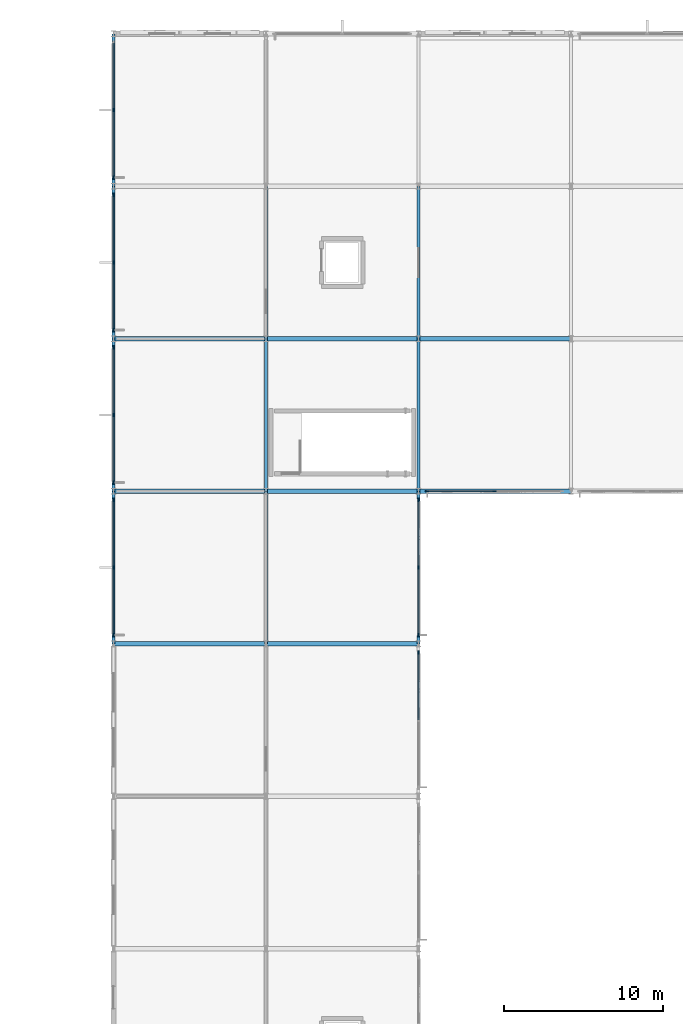
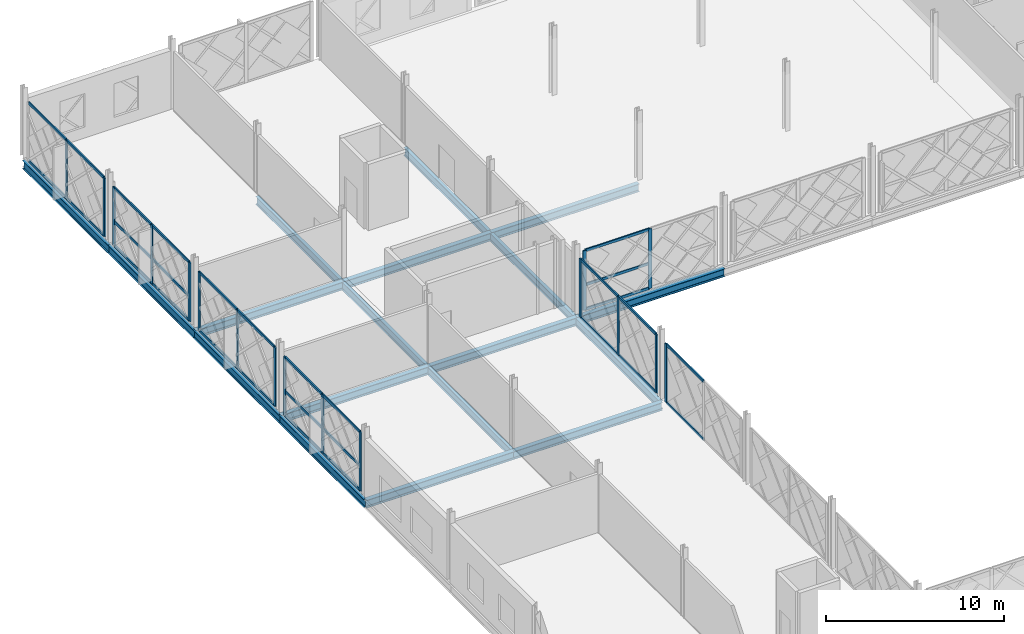
# One storey, part 27 of 77: 46 members, 18 beams, 7 elements without a shape of their own.
"""IFC4 building model written with IfcOpenShell, lengths in metres."""

from ifc_helpers import new_model, si_unit, direction, frame, origin, origin_2d, place, context, subcontext, project, spatial, rectangle, i_section, extrude, material, layer, layer_set, material_profile, profile_set, type_object, element, aggregate, save


model = new_model("IFC4")

# Units and contexts
model_context = context("Model", 3, precision=1e-05, world=origin(), true_north=direction((0.0, 1.0)))
body_context = subcontext(model_context, "Body", "Model", "MODEL_VIEW")
ifc_project = project(units=[si_unit("LENGTHUNIT", "METRE"), si_unit("AREAUNIT", "SQUARE_METRE"), si_unit("VOLUMEUNIT", "CUBIC_METRE"), si_unit("PLANEANGLEUNIT", "RADIAN"), si_unit("MASSUNIT", "GRAM", prefix="KILO")], contexts=[model_context])

# Site, building, storey
site_placement = place(None, origin())
site = spatial("IfcSite", under=ifc_project, at=site_placement, CompositionType="ELEMENT")
building_placement = place(site_placement, origin())
building = spatial("IfcBuilding", under=site, at=building_placement, Name="Zevrakil Square Congress Hotel", CompositionType="ELEMENT")
storey_placement = place(building_placement, frame((0.0, 0.0, 9.89990234375)))
storey = spatial("IfcBuildingStorey", under=building, at=storey_placement, Name="L03", CompositionType="ELEMENT", Elevation=9.89990234375)

# Beams
ifc_material_1 = material(Name="Steel S355", Category="steel")
ifc_material_profile_1 = material_profile(ifc_material_1, i_section(OverallWidth=0.300048828125, OverallDepth=0.5400390625, WebThickness=0.012451171875, FlangeThickness=0.02392578125, FilletRadius=0.027099609375, at=origin_2d()), Name="HEA 550")
ifc_profile_set_1 = profile_set([ifc_material_profile_1], Name="Steel S355")
beam_type_1 = type_object("IfcBeamType", Name="BM-HEA550", PredefinedType="BEAM", material=ifc_profile_set_1)
beam_1_placement = place(storey_placement, frame((45.60009765625, 74.39990234375, -0.52978515625), z_axis=(1.0, 0.0, 0.0), x_axis=(0.0, 1.0, 0.0)))
element("IfcBeam", 1, at=beam_1_placement, inside=storey, type_object=beam_type_1, Name="L03 primary girder BX-1045", PredefinedType="BEAM", context=body_context, shape_type="SweptSolid", body=[
    extrude(i_section(OverallWidth=0.300048828125, OverallDepth=0.5400390625, WebThickness=0.012451171875, FlangeThickness=0.02392578125, FilletRadius=0.027099609375, at=origin_2d()), origin(), (0.0, 0.0, 1.0), 9.599853515625),
])
beam_2_placement = place(storey_placement, frame((55.199951171875, 74.39990234375, -0.52978515625), z_axis=(1.0, 0.0, 0.0), x_axis=(0.0, 1.0, 0.0)))
element("IfcBeam", 2, at=beam_2_placement, inside=storey, type_object=beam_type_1, Name="L03 primary girder BX-1046", PredefinedType="BEAM", context=body_context, shape_type="SweptSolid", body=[
    extrude(i_section(OverallWidth=0.300048828125, OverallDepth=0.5400390625, WebThickness=0.012451171875, FlangeThickness=0.02392578125, FilletRadius=0.027099609375, at=origin_2d()), origin(), (0.0, 0.0, 1.0), 9.60009765625),
])
beam_3_placement = place(storey_placement, frame((45.60009765625, 84.0, -0.52978515625), z_axis=(1.0, 0.0, 0.0), x_axis=(0.0, 1.0, 0.0)))
element("IfcBeam", 3, at=beam_3_placement, inside=storey, type_object=beam_type_1, Name="L03 primary girder BX-1048", PredefinedType="BEAM", context=body_context, shape_type="SweptSolid", body=[
    extrude(i_section(OverallWidth=0.300048828125, OverallDepth=0.5400390625, WebThickness=0.012451171875, FlangeThickness=0.02392578125, FilletRadius=0.027099609375, at=origin_2d()), origin(), (0.0, 0.0, 1.0), 9.599853515625),
])
beam_4_placement = place(storey_placement, frame((55.199951171875, 84.0, -0.52978515625), z_axis=(1.0, 0.0, 0.0), x_axis=(0.0, 1.0, 0.0)))
element("IfcBeam", 4, at=beam_4_placement, inside=storey, type_object=beam_type_1, Name="L03 primary girder BX-1049", PredefinedType="BEAM", context=body_context, shape_type="SweptSolid", body=[
    extrude(i_section(OverallWidth=0.300048828125, OverallDepth=0.5400390625, WebThickness=0.012451171875, FlangeThickness=0.02392578125, FilletRadius=0.027099609375, at=origin_2d()), origin(), (0.0, 0.0, 1.0), 9.60009765625),
])
for number, where, z_axis, x_axis, name in (
    (5, (64.800048828125, 84.0, -0.52978515625), (1.0, 0.0, 0.0), (0.0, 1.0, 0.0), "L03 primary girder BX-1050"),
    (6, (45.60009765625, 93.60009765625, -0.52978515625), (1.0, 0.0, 0.0), (0.0, 1.0, 0.0), "L03 primary girder BX-1056"),
):
    element("IfcBeam", number, at=place(storey_placement, frame(where, z_axis=z_axis, x_axis=x_axis)), inside=storey, type_object=beam_type_1, Name=name, PredefinedType="BEAM", context=body_context, shape_type="SweptSolid", body=[
        extrude(i_section(OverallWidth=0.300048828125, OverallDepth=0.5400390625, WebThickness=0.012451171875, FlangeThickness=0.02392578125, FilletRadius=0.027099609375, at=origin_2d()), origin(), (0.0, 0.0, 1.0), 9.599853515625),
    ])
beam_5_placement = place(storey_placement, frame((55.199951171875, 93.60009765625, -0.52978515625), z_axis=(1.0, 0.0, 0.0), x_axis=(0.0, 1.0, 0.0)))
element("IfcBeam", 7, at=beam_5_placement, inside=storey, type_object=beam_type_1, Name="L03 primary girder BX-1057", PredefinedType="BEAM", context=body_context, shape_type="SweptSolid", body=[
    extrude(i_section(OverallWidth=0.300048828125, OverallDepth=0.5400390625, WebThickness=0.012451171875, FlangeThickness=0.02392578125, FilletRadius=0.027099609375, at=origin_2d()), origin(), (0.0, 0.0, 1.0), 9.60009765625),
])
beam_6_placement = place(storey_placement, frame((64.800048828125, 93.60009765625, -0.52978515625), z_axis=(1.0, 0.0, 0.0), x_axis=(0.0, 1.0, 0.0)))
element("IfcBeam", 8, at=beam_6_placement, inside=storey, type_object=beam_type_1, Name="L03 primary girder BX-1058", PredefinedType="BEAM", context=body_context, shape_type="SweptSolid", body=[
    extrude(i_section(OverallWidth=0.300048828125, OverallDepth=0.5400390625, WebThickness=0.012451171875, FlangeThickness=0.02392578125, FilletRadius=0.027099609375, at=origin_2d()), origin(), (0.0, 0.0, 1.0), 9.599853515625),
])
ifc_material_2 = material(Name="Steel S355", Category="steel")
ifc_material_profile_2 = material_profile(ifc_material_2, i_section(OverallWidth=0.2099609375, OverallDepth=0.550048828125, WebThickness=0.010986328125, FlangeThickness=0.01708984375, FilletRadius=0.02392578125, at=origin_2d()), Name="IPE 550")
ifc_profile_set_2 = profile_set([ifc_material_profile_2], Name="Steel S355")
beam_type_2 = type_object("IfcBeamType", Name="BM-IPE550", PredefinedType="BEAM", material=ifc_profile_set_2)
for number, where, z_axis, x_axis, name in (
    (9, (45.60009765625, 74.39990234375, -0.534912109375), (0.0, 1.0, 0.0), (-1.0, 0.0, 0.0), "L03 primary girder BY-1096"),
    (10, (45.60009765625, 84.0, -0.534912109375), (0.0, 1.0, 0.0), (-1.0, 0.0, 0.0), "L03 primary girder BY-1097"),
):
    element("IfcBeam", number, at=place(storey_placement, frame(where, z_axis=z_axis, x_axis=x_axis)), inside=storey, type_object=beam_type_2, Name=name, PredefinedType="BEAM", context=body_context, shape_type="SweptSolid", body=[
        extrude(i_section(OverallWidth=0.2099609375, OverallDepth=0.550048828125, WebThickness=0.010986328125, FlangeThickness=0.01708984375, FilletRadius=0.02392578125, at=origin_2d()), origin(), (0.0, 0.0, 1.0), 9.60009765625),
    ])
beam_7_placement = place(storey_placement, frame((45.60009765625, 93.60009765625, -0.534912109375), z_axis=(0.0, 1.0, 0.0), x_axis=(-1.0, 0.0, 0.0)))
element("IfcBeam", 11, at=beam_7_placement, inside=storey, type_object=beam_type_2, Name="L03 primary girder BY-1098", PredefinedType="BEAM", context=body_context, shape_type="SweptSolid", body=[
    extrude(i_section(OverallWidth=0.2099609375, OverallDepth=0.550048828125, WebThickness=0.010986328125, FlangeThickness=0.01708984375, FilletRadius=0.02392578125, at=origin_2d()), origin(), (0.0, 0.0, 1.0), 9.599853515625),
])
for number, where, z_axis, x_axis, name in (
    (12, (45.60009765625, 103.199951171875, -0.534912109375), (0.0, 1.0, 0.0), (-1.0, 0.0, 0.0), "L03 primary girder BY-1099"),
    (13, (55.199951171875, 74.39990234375, -0.534912109375), (0.0, 1.0, 0.0), (-1.0, 0.0, 0.0), "L03 primary girder BY-1107"),
    (14, (55.199951171875, 84.0, -0.534912109375), (0.0, 1.0, 0.0), (-1.0, 0.0, 0.0), "L03 primary girder BY-1108"),
):
    element("IfcBeam", number, at=place(storey_placement, frame(where, z_axis=z_axis, x_axis=x_axis)), inside=storey, type_object=beam_type_2, Name=name, PredefinedType="BEAM", context=body_context, shape_type="SweptSolid", body=[
        extrude(i_section(OverallWidth=0.2099609375, OverallDepth=0.550048828125, WebThickness=0.010986328125, FlangeThickness=0.01708984375, FilletRadius=0.02392578125, at=origin_2d()), origin(), (0.0, 0.0, 1.0), 9.60009765625),
    ])
beam_8_placement = place(storey_placement, frame((55.199951171875, 93.60009765625, -0.534912109375), z_axis=(0.0, 1.0, 0.0), x_axis=(-1.0, 0.0, 0.0)))
element("IfcBeam", 15, at=beam_8_placement, inside=storey, type_object=beam_type_2, Name="L03 primary girder BY-1109", PredefinedType="BEAM", context=body_context, shape_type="SweptSolid", body=[
    extrude(i_section(OverallWidth=0.2099609375, OverallDepth=0.550048828125, WebThickness=0.010986328125, FlangeThickness=0.01708984375, FilletRadius=0.02392578125, at=origin_2d()), origin(), (0.0, 0.0, 1.0), 9.599853515625),
])
for number, where, z_axis, x_axis, name in (
    (16, (64.800048828125, 74.39990234375, -0.534912109375), (0.0, 1.0, 0.0), (-1.0, 0.0, 0.0), "L03 primary girder BY-1118"),
    (17, (64.800048828125, 84.0, -0.534912109375), (0.0, 1.0, 0.0), (-1.0, 0.0, 0.0), "L03 primary girder BY-1119"),
):
    element("IfcBeam", number, at=place(storey_placement, frame(where, z_axis=z_axis, x_axis=x_axis)), inside=storey, type_object=beam_type_2, Name=name, PredefinedType="BEAM", context=body_context, shape_type="SweptSolid", body=[
        extrude(i_section(OverallWidth=0.2099609375, OverallDepth=0.550048828125, WebThickness=0.010986328125, FlangeThickness=0.01708984375, FilletRadius=0.02392578125, at=origin_2d()), origin(), (0.0, 0.0, 1.0), 9.60009765625),
    ])
beam_9_placement = place(storey_placement, frame((64.800048828125, 93.60009765625, -0.534912109375), z_axis=(0.0, 1.0, 0.0), x_axis=(-1.0, 0.0, 0.0)))
element("IfcBeam", 18, at=beam_9_placement, inside=storey, type_object=beam_type_2, Name="L03 primary girder BY-1120", PredefinedType="BEAM", context=body_context, shape_type="SweptSolid", body=[
    extrude(i_section(OverallWidth=0.2099609375, OverallDepth=0.550048828125, WebThickness=0.010986328125, FlangeThickness=0.01708984375, FilletRadius=0.02392578125, at=origin_2d()), origin(), (0.0, 0.0, 1.0), 9.599853515625),
])

# Curtain wall, members
ifc_material_3 = material(Name="Aluminium Anodised Bronze", Category="aluminium")
ifc_layer = layer(ifc_material_3, 0.179931640625)
ifc_layer_set = layer_set([ifc_layer], Name="Aluminium Anodised Bronze")
curtain_wall_type = type_object("IfcCurtainWallType", Name="CW-L03-840", PredefinedType="USERDEFINED", material=ifc_layer_set)
curtain_wall_1_placement = place(storey_placement, origin())
curtain_wall_1 = element("IfcCurtainWall", 19, at=curtain_wall_1_placement, inside=storey, type_object=curtain_wall_type, Name="L03 diamond curtain wall CW-L03-0028", ObjectType="GLAZED CURTAIN WALL", PredefinedType="USERDEFINED")
ifc_material_4 = material(Name="Aluminium Anodised Bronze", Category="aluminium")
ifc_material_profile_3 = material_profile(ifc_material_4, rectangle(XDim=0.0849609375, YDim=0.179931640625, at=origin_2d()), Name="ALU 85x180")
ifc_profile_set_3 = profile_set([ifc_material_profile_3], Name="Aluminium Anodised Bronze")
member_type_1 = type_object("IfcMemberType", Name="CWM-ALU85x180", PredefinedType="USERDEFINED", material=ifc_profile_set_3)
member_1_placement = place(storey_placement, frame((45.60009765625, 74.97998046875, 0.030029296875), z_axis=(0.0, 1.0, 0.0), x_axis=(-1.0, 0.0, 0.0)))
member_1 = element("IfcMember", 20, at=member_1_placement, type_object=member_type_1, Name="CW-35 transom 1.1", ObjectType="TRANSOM", PredefinedType="USERDEFINED", context=body_context, shape_type="SweptSolid", body=[
    extrude(rectangle(XDim=0.0849609375, YDim=0.179931640625, at=origin_2d()), origin(), (0.0, 0.0, 1.0), 4.18994140625),
])
member_2_placement = place(storey_placement, frame((45.60009765625, 74.97998046875, 1.690673828125), z_axis=(0.0, 1.0, 0.0), x_axis=(-1.0, 0.0, 0.0)))
member_2 = element("IfcMember", 21, at=member_2_placement, type_object=member_type_1, Name="CW-35 transom 1.2", ObjectType="TRANSOM", PredefinedType="USERDEFINED", context=body_context, shape_type="SweptSolid", body=[
    extrude(rectangle(XDim=0.0849609375, YDim=0.179931640625, at=origin_2d()), origin(), (0.0, 0.0, 1.0), 4.18994140625),
])
member_3_placement = place(storey_placement, frame((45.60009765625, 74.97998046875, 3.9951171875), z_axis=(0.0, 1.0, 0.0), x_axis=(-1.0, 0.0, 0.0)))
member_3 = element("IfcMember", 22, at=member_3_placement, type_object=member_type_1, Name="CW-35 transom 1.3", ObjectType="TRANSOM", PredefinedType="USERDEFINED", context=body_context, shape_type="SweptSolid", body=[
    extrude(rectangle(XDim=0.0849609375, YDim=0.179931640625, at=origin_2d()), origin(), (0.0, 0.0, 1.0), 4.18994140625),
])
member_4_placement = place(storey_placement, frame((45.60009765625, 79.22998046875, 0.030029296875), z_axis=(0.0, 1.0, 0.0), x_axis=(-1.0, 0.0, 0.0)))
member_4 = element("IfcMember", 23, at=member_4_placement, type_object=member_type_1, Name="CW-35 transom 2.1", ObjectType="TRANSOM", PredefinedType="USERDEFINED", context=body_context, shape_type="SweptSolid", body=[
    extrude(rectangle(XDim=0.0849609375, YDim=0.179931640625, at=origin_2d()), origin(), (0.0, 0.0, 1.0), 4.18994140625),
])
member_5_placement = place(storey_placement, frame((45.60009765625, 79.22998046875, 1.690673828125), z_axis=(0.0, 1.0, 0.0), x_axis=(-1.0, 0.0, 0.0)))
member_5 = element("IfcMember", 24, at=member_5_placement, type_object=member_type_1, Name="CW-35 transom 2.2", ObjectType="TRANSOM", PredefinedType="USERDEFINED", context=body_context, shape_type="SweptSolid", body=[
    extrude(rectangle(XDim=0.0849609375, YDim=0.179931640625, at=origin_2d()), origin(), (0.0, 0.0, 1.0), 4.18994140625),
])
member_6_placement = place(storey_placement, frame((45.60009765625, 79.22998046875, 3.9951171875), z_axis=(0.0, 1.0, 0.0), x_axis=(-1.0, 0.0, 0.0)))
member_6 = element("IfcMember", 25, at=member_6_placement, type_object=member_type_1, Name="CW-35 transom 2.3", ObjectType="TRANSOM", PredefinedType="USERDEFINED", context=body_context, shape_type="SweptSolid", body=[
    extrude(rectangle(XDim=0.0849609375, YDim=0.179931640625, at=origin_2d()), origin(), (0.0, 0.0, 1.0), 4.18994140625),
])

curtain_wall_2_placement = place(storey_placement, origin())
curtain_wall_2 = element("IfcCurtainWall", 26, at=curtain_wall_2_placement, inside=storey, type_object=curtain_wall_type, Name="L03 diamond curtain wall CW-L03-0029", ObjectType="GLAZED CURTAIN WALL", PredefinedType="USERDEFINED")
member_7_placement = place(storey_placement, frame((45.60009765625, 84.580078125, 0.030029296875), z_axis=(0.0, 1.0, 0.0), x_axis=(-1.0, 0.0, 0.0)))
member_7 = element("IfcMember", 27, at=member_7_placement, type_object=member_type_1, Name="CW-35 transom 1.1", ObjectType="TRANSOM", PredefinedType="USERDEFINED", context=body_context, shape_type="SweptSolid", body=[
    extrude(rectangle(XDim=0.0849609375, YDim=0.179931640625, at=origin_2d()), origin(), (0.0, 0.0, 1.0), 4.18994140625),
])
member_8_placement = place(storey_placement, frame((45.60009765625, 84.580078125, 3.9951171875), z_axis=(0.0, 1.0, 0.0), x_axis=(-1.0, 0.0, 0.0)))
member_8 = element("IfcMember", 28, at=member_8_placement, type_object=member_type_1, Name="CW-35 transom 1.2", ObjectType="TRANSOM", PredefinedType="USERDEFINED", context=body_context, shape_type="SweptSolid", body=[
    extrude(rectangle(XDim=0.0849609375, YDim=0.179931640625, at=origin_2d()), origin(), (0.0, 0.0, 1.0), 4.18994140625),
])
member_9_placement = place(storey_placement, frame((45.60009765625, 88.830078125, 0.030029296875), z_axis=(0.0, 1.0, 0.0), x_axis=(-1.0, 0.0, 0.0)))
member_9 = element("IfcMember", 29, at=member_9_placement, type_object=member_type_1, Name="CW-35 transom 2.1", ObjectType="TRANSOM", PredefinedType="USERDEFINED", context=body_context, shape_type="SweptSolid", body=[
    extrude(rectangle(XDim=0.0849609375, YDim=0.179931640625, at=origin_2d()), origin(), (0.0, 0.0, 1.0), 4.18994140625),
])
member_10_placement = place(storey_placement, frame((45.60009765625, 88.830078125, 3.9951171875), z_axis=(0.0, 1.0, 0.0), x_axis=(-1.0, 0.0, 0.0)))
member_10 = element("IfcMember", 30, at=member_10_placement, type_object=member_type_1, Name="CW-35 transom 2.2", ObjectType="TRANSOM", PredefinedType="USERDEFINED", context=body_context, shape_type="SweptSolid", body=[
    extrude(rectangle(XDim=0.0849609375, YDim=0.179931640625, at=origin_2d()), origin(), (0.0, 0.0, 1.0), 4.18994140625),
])

curtain_wall_3_placement = place(storey_placement, origin())
curtain_wall_3 = element("IfcCurtainWall", 31, at=curtain_wall_3_placement, inside=storey, type_object=curtain_wall_type, Name="L03 diamond curtain wall CW-L03-0030", ObjectType="GLAZED CURTAIN WALL", PredefinedType="USERDEFINED")
member_11_placement = place(storey_placement, frame((45.60009765625, 94.179931640625, 0.030029296875), z_axis=(0.0, 1.0, 0.0), x_axis=(-1.0, 0.0, 0.0)))
member_11 = element("IfcMember", 32, at=member_11_placement, type_object=member_type_1, Name="CW-35 transom 1.1", ObjectType="TRANSOM", PredefinedType="USERDEFINED", context=body_context, shape_type="SweptSolid", body=[
    extrude(rectangle(XDim=0.0849609375, YDim=0.179931640625, at=origin_2d()), origin(), (0.0, 0.0, 1.0), 4.190185546875),
])
member_12_placement = place(storey_placement, frame((45.60009765625, 94.179931640625, 1.690673828125), z_axis=(0.0, 1.0, 0.0), x_axis=(-1.0, 0.0, 0.0)))
member_12 = element("IfcMember", 33, at=member_12_placement, type_object=member_type_1, Name="CW-35 transom 1.2", ObjectType="TRANSOM", PredefinedType="USERDEFINED", context=body_context, shape_type="SweptSolid", body=[
    extrude(rectangle(XDim=0.0849609375, YDim=0.179931640625, at=origin_2d()), origin(), (0.0, 0.0, 1.0), 4.190185546875),
])
member_13_placement = place(storey_placement, frame((45.60009765625, 94.179931640625, 3.9951171875), z_axis=(0.0, 1.0, 0.0), x_axis=(-1.0, 0.0, 0.0)))
member_13 = element("IfcMember", 34, at=member_13_placement, type_object=member_type_1, Name="CW-35 transom 1.3", ObjectType="TRANSOM", PredefinedType="USERDEFINED", context=body_context, shape_type="SweptSolid", body=[
    extrude(rectangle(XDim=0.0849609375, YDim=0.179931640625, at=origin_2d()), origin(), (0.0, 0.0, 1.0), 4.190185546875),
])
member_14_placement = place(storey_placement, frame((45.60009765625, 98.429931640625, 0.030029296875), z_axis=(0.0, 1.0, 0.0), x_axis=(-1.0, 0.0, 0.0)))
member_14 = element("IfcMember", 35, at=member_14_placement, type_object=member_type_1, Name="CW-35 transom 2.1", ObjectType="TRANSOM", PredefinedType="USERDEFINED", context=body_context, shape_type="SweptSolid", body=[
    extrude(rectangle(XDim=0.0849609375, YDim=0.179931640625, at=origin_2d()), origin(), (0.0, 0.0, 1.0), 4.190185546875),
])
member_15_placement = place(storey_placement, frame((45.60009765625, 98.429931640625, 1.690673828125), z_axis=(0.0, 1.0, 0.0), x_axis=(-1.0, 0.0, 0.0)))
member_15 = element("IfcMember", 36, at=member_15_placement, type_object=member_type_1, Name="CW-35 transom 2.2", ObjectType="TRANSOM", PredefinedType="USERDEFINED", context=body_context, shape_type="SweptSolid", body=[
    extrude(rectangle(XDim=0.0849609375, YDim=0.179931640625, at=origin_2d()), origin(), (0.0, 0.0, 1.0), 4.190185546875),
])
member_16_placement = place(storey_placement, frame((45.60009765625, 98.429931640625, 3.9951171875), z_axis=(0.0, 1.0, 0.0), x_axis=(-1.0, 0.0, 0.0)))
member_16 = element("IfcMember", 37, at=member_16_placement, type_object=member_type_1, Name="CW-35 transom 2.3", ObjectType="TRANSOM", PredefinedType="USERDEFINED", context=body_context, shape_type="SweptSolid", body=[
    extrude(rectangle(XDim=0.0849609375, YDim=0.179931640625, at=origin_2d()), origin(), (0.0, 0.0, 1.0), 4.190185546875),
])

curtain_wall_4_placement = place(storey_placement, origin())
curtain_wall_4 = element("IfcCurtainWall", 38, at=curtain_wall_4_placement, inside=storey, type_object=curtain_wall_type, Name="L03 diamond curtain wall CW-L03-0031", ObjectType="GLAZED CURTAIN WALL", PredefinedType="USERDEFINED")
member_17_placement = place(storey_placement, frame((45.60009765625, 103.780029296875, 0.030029296875), z_axis=(0.0, 1.0, 0.0), x_axis=(-1.0, 0.0, 0.0)))
member_17 = element("IfcMember", 39, at=member_17_placement, type_object=member_type_1, Name="CW-35 transom 1.1", ObjectType="TRANSOM", PredefinedType="USERDEFINED", context=body_context, shape_type="SweptSolid", body=[
    extrude(rectangle(XDim=0.0849609375, YDim=0.179931640625, at=origin_2d()), origin(), (0.0, 0.0, 1.0), 4.18994140625),
])
member_18_placement = place(storey_placement, frame((45.60009765625, 103.780029296875, 3.9951171875), z_axis=(0.0, 1.0, 0.0), x_axis=(-1.0, 0.0, 0.0)))
member_18 = element("IfcMember", 40, at=member_18_placement, type_object=member_type_1, Name="CW-35 transom 1.2", ObjectType="TRANSOM", PredefinedType="USERDEFINED", context=body_context, shape_type="SweptSolid", body=[
    extrude(rectangle(XDim=0.0849609375, YDim=0.179931640625, at=origin_2d()), origin(), (0.0, 0.0, 1.0), 4.18994140625),
])
member_19_placement = place(storey_placement, frame((45.60009765625, 108.030029296875, 0.030029296875), z_axis=(0.0, 1.0, 0.0), x_axis=(-1.0, 0.0, 0.0)))
member_19 = element("IfcMember", 41, at=member_19_placement, type_object=member_type_1, Name="CW-35 transom 2.1", ObjectType="TRANSOM", PredefinedType="USERDEFINED", context=body_context, shape_type="SweptSolid", body=[
    extrude(rectangle(XDim=0.0849609375, YDim=0.179931640625, at=origin_2d()), origin(), (0.0, 0.0, 1.0), 4.18994140625),
])
member_20_placement = place(storey_placement, frame((45.60009765625, 108.030029296875, 3.9951171875), z_axis=(0.0, 1.0, 0.0), x_axis=(-1.0, 0.0, 0.0)))
member_20 = element("IfcMember", 42, at=member_20_placement, type_object=member_type_1, Name="CW-35 transom 2.2", ObjectType="TRANSOM", PredefinedType="USERDEFINED", context=body_context, shape_type="SweptSolid", body=[
    extrude(rectangle(XDim=0.0849609375, YDim=0.179931640625, at=origin_2d()), origin(), (0.0, 0.0, 1.0), 4.18994140625),
])

curtain_wall_5_placement = place(storey_placement, origin())
curtain_wall_5 = element("IfcCurtainWall", 43, at=curtain_wall_5_placement, inside=storey, type_object=curtain_wall_type, Name="L03 diamond curtain wall CW-L03-0102", ObjectType="GLAZED CURTAIN WALL", PredefinedType="USERDEFINED")
member_21_placement = place(storey_placement, frame((65.3798828125, 84.0, 0.030029296875), z_axis=(1.0, 0.0, 0.0), x_axis=(0.0, 1.0, 0.0)))
member_21 = element("IfcMember", 44, at=member_21_placement, type_object=member_type_1, Name="CW-35 transom 1.1", ObjectType="TRANSOM", PredefinedType="USERDEFINED", context=body_context, shape_type="SweptSolid", body=[
    extrude(rectangle(XDim=0.0849609375, YDim=0.179931640625, at=origin_2d()), origin(), (0.0, 0.0, 1.0), 4.190185546875),
])
member_22_placement = place(storey_placement, frame((65.3798828125, 84.0, 1.7158203125), z_axis=(1.0, 0.0, 0.0), x_axis=(0.0, 1.0, 0.0)))
member_22 = element("IfcMember", 45, at=member_22_placement, type_object=member_type_1, Name="CW-35 transom 1.2", ObjectType="TRANSOM", PredefinedType="USERDEFINED", context=body_context, shape_type="SweptSolid", body=[
    extrude(rectangle(XDim=0.0849609375, YDim=0.179931640625, at=origin_2d()), origin(), (0.0, 0.0, 1.0), 4.190185546875),
])
member_23_placement = place(storey_placement, frame((65.3798828125, 84.0, 4.05517578125), z_axis=(1.0, 0.0, 0.0), x_axis=(0.0, 1.0, 0.0)))
member_23 = element("IfcMember", 46, at=member_23_placement, type_object=member_type_1, Name="CW-35 transom 1.3", ObjectType="TRANSOM", PredefinedType="USERDEFINED", context=body_context, shape_type="SweptSolid", body=[
    extrude(rectangle(XDim=0.0849609375, YDim=0.179931640625, at=origin_2d()), origin(), (0.0, 0.0, 1.0), 4.190185546875),
])

curtain_wall_6_placement = place(storey_placement, origin())
curtain_wall_6 = element("IfcCurtainWall", 47, at=curtain_wall_6_placement, inside=storey, type_object=curtain_wall_type, Name="L03 diamond curtain wall CW-L03-0133", ObjectType="GLAZED CURTAIN WALL", PredefinedType="USERDEFINED")
member_24_placement = place(storey_placement, frame((64.800048828125, 69.6298828125, 0.030029296875), z_axis=(0.0, 1.0, 0.0), x_axis=(-1.0, 0.0, 0.0)))
member_24 = element("IfcMember", 48, at=member_24_placement, type_object=member_type_1, Name="CW-35 transom 2.1", ObjectType="TRANSOM", PredefinedType="USERDEFINED", context=body_context, shape_type="SweptSolid", body=[
    extrude(rectangle(XDim=0.0849609375, YDim=0.179931640625, at=origin_2d()), origin(), (0.0, 0.0, 1.0), 4.190185546875),
])
member_25_placement = place(storey_placement, frame((64.800048828125, 69.6298828125, 3.9951171875), z_axis=(0.0, 1.0, 0.0), x_axis=(-1.0, 0.0, 0.0)))
member_25 = element("IfcMember", 49, at=member_25_placement, type_object=member_type_1, Name="CW-35 transom 2.2", ObjectType="TRANSOM", PredefinedType="USERDEFINED", context=body_context, shape_type="SweptSolid", body=[
    extrude(rectangle(XDim=0.0849609375, YDim=0.179931640625, at=origin_2d()), origin(), (0.0, 0.0, 1.0), 4.190185546875),
])

curtain_wall_7_placement = place(storey_placement, origin())
curtain_wall_7 = element("IfcCurtainWall", 50, at=curtain_wall_7_placement, inside=storey, type_object=curtain_wall_type, Name="L03 diamond curtain wall CW-L03-0139", ObjectType="GLAZED CURTAIN WALL", PredefinedType="USERDEFINED")
member_26_placement = place(storey_placement, frame((64.800048828125, 74.97998046875, 0.030029296875), z_axis=(0.0, 1.0, 0.0), x_axis=(-1.0, 0.0, 0.0)))
member_26 = element("IfcMember", 51, at=member_26_placement, type_object=member_type_1, Name="CW-35 transom 1.1", ObjectType="TRANSOM", PredefinedType="USERDEFINED", context=body_context, shape_type="SweptSolid", body=[
    extrude(rectangle(XDim=0.0849609375, YDim=0.179931640625, at=origin_2d()), origin(), (0.0, 0.0, 1.0), 4.18994140625),
])
member_27_placement = place(storey_placement, frame((64.800048828125, 74.97998046875, 3.9951171875), z_axis=(0.0, 1.0, 0.0), x_axis=(-1.0, 0.0, 0.0)))
member_27 = element("IfcMember", 52, at=member_27_placement, type_object=member_type_1, Name="CW-35 transom 1.2", ObjectType="TRANSOM", PredefinedType="USERDEFINED", context=body_context, shape_type="SweptSolid", body=[
    extrude(rectangle(XDim=0.0849609375, YDim=0.179931640625, at=origin_2d()), origin(), (0.0, 0.0, 1.0), 4.18994140625),
])
member_28_placement = place(storey_placement, frame((64.800048828125, 79.22998046875, 0.030029296875), z_axis=(0.0, 1.0, 0.0), x_axis=(-1.0, 0.0, 0.0)))
member_28 = element("IfcMember", 53, at=member_28_placement, type_object=member_type_1, Name="CW-35 transom 2.1", ObjectType="TRANSOM", PredefinedType="USERDEFINED", context=body_context, shape_type="SweptSolid", body=[
    extrude(rectangle(XDim=0.0849609375, YDim=0.179931640625, at=origin_2d()), origin(), (0.0, 0.0, 1.0), 4.18994140625),
])
member_29_placement = place(storey_placement, frame((64.800048828125, 79.22998046875, 3.9951171875), z_axis=(0.0, 1.0, 0.0), x_axis=(-1.0, 0.0, 0.0)))
member_29 = element("IfcMember", 54, at=member_29_placement, type_object=member_type_1, Name="CW-35 transom 2.2", ObjectType="TRANSOM", PredefinedType="USERDEFINED", context=body_context, shape_type="SweptSolid", body=[
    extrude(rectangle(XDim=0.0849609375, YDim=0.179931640625, at=origin_2d()), origin(), (0.0, 0.0, 1.0), 4.18994140625),
])

# Member
ifc_material_5 = material(Name="Aluminium Anodised Bronze", Category="aluminium")
ifc_material_profile_4 = material_profile(ifc_material_5, rectangle(XDim=0.0849609375, YDim=0.219970703125, at=origin_2d()), Name="ALU 85x220")
ifc_profile_set_4 = profile_set([ifc_material_profile_4], Name="Aluminium Anodised Bronze")
member_type_2 = type_object("IfcMemberType", Name="CWM-ALU85x220", PredefinedType="MULLION", material=ifc_profile_set_4)
member_30_placement = place(storey_placement, frame((45.60009765625, 74.949951171875, 0.0), z_axis=(0.0, 0.0, 1.0), x_axis=(-1.0, 0.0, 0.0)))
member_30 = element("IfcMember", 55, at=member_30_placement, type_object=member_type_2, Name="CW-35 mullion 1", PredefinedType="MULLION", context=body_context, shape_type="SweptSolid", body=[
    extrude(rectangle(XDim=0.0849609375, YDim=0.219970703125, at=origin_2d()), origin(), (0.0, 0.0, 1.0), 4.025146484375),
])

member_31_placement = place(storey_placement, frame((45.60009765625, 79.199951171875, 0.0), z_axis=(0.0, 0.0, 1.0), x_axis=(-1.0, 0.0, 0.0)))
member_31 = element("IfcMember", 56, at=member_31_placement, type_object=member_type_2, Name="CW-35 mullion 2", PredefinedType="MULLION", context=body_context, shape_type="SweptSolid", body=[
    extrude(rectangle(XDim=0.0849609375, YDim=0.219970703125, at=origin_2d()), origin(), (0.0, 0.0, 1.0), 4.025146484375),
])

member_32_placement = place(storey_placement, frame((45.60009765625, 83.449951171875, 0.0), z_axis=(0.0, 0.0, 1.0), x_axis=(-1.0, 0.0, 0.0)))
member_32 = element("IfcMember", 57, at=member_32_placement, type_object=member_type_2, Name="CW-35 mullion 3", PredefinedType="MULLION", context=body_context, shape_type="SweptSolid", body=[
    extrude(rectangle(XDim=0.0849609375, YDim=0.219970703125, at=origin_2d()), origin(), (0.0, 0.0, 1.0), 4.025146484375),
])

aggregate(curtain_wall_1, [member_30, member_31, member_32, member_1, member_2, member_3, member_4, member_5, member_6])

member_33_placement = place(storey_placement, frame((45.60009765625, 84.550048828125, 0.0), z_axis=(0.0, 0.0, 1.0), x_axis=(-1.0, 0.0, 0.0)))
member_33 = element("IfcMember", 58, at=member_33_placement, type_object=member_type_2, Name="CW-35 mullion 1", PredefinedType="MULLION", context=body_context, shape_type="SweptSolid", body=[
    extrude(rectangle(XDim=0.0849609375, YDim=0.219970703125, at=origin_2d()), origin(), (0.0, 0.0, 1.0), 4.025146484375),
])

member_34_placement = place(storey_placement, frame((45.60009765625, 88.800048828125, 0.0), z_axis=(0.0, 0.0, 1.0), x_axis=(-1.0, 0.0, 0.0)))
member_34 = element("IfcMember", 59, at=member_34_placement, type_object=member_type_2, Name="CW-35 mullion 2", PredefinedType="MULLION", context=body_context, shape_type="SweptSolid", body=[
    extrude(rectangle(XDim=0.0849609375, YDim=0.219970703125, at=origin_2d()), origin(), (0.0, 0.0, 1.0), 4.025146484375),
])

member_35_placement = place(storey_placement, frame((45.60009765625, 93.050048828125, 0.0), z_axis=(0.0, 0.0, 1.0), x_axis=(-1.0, 0.0, 0.0)))
member_35 = element("IfcMember", 60, at=member_35_placement, type_object=member_type_2, Name="CW-35 mullion 3", PredefinedType="MULLION", context=body_context, shape_type="SweptSolid", body=[
    extrude(rectangle(XDim=0.0849609375, YDim=0.219970703125, at=origin_2d()), origin(), (0.0, 0.0, 1.0), 4.025146484375),
])

aggregate(curtain_wall_2, [member_33, member_34, member_35, member_7, member_8, member_9, member_10])

member_36_placement = place(storey_placement, frame((45.60009765625, 94.14990234375, 0.0), z_axis=(0.0, 0.0, 1.0), x_axis=(-1.0, 0.0, 0.0)))
member_36 = element("IfcMember", 61, at=member_36_placement, type_object=member_type_2, Name="CW-35 mullion 1", PredefinedType="MULLION", context=body_context, shape_type="SweptSolid", body=[
    extrude(rectangle(XDim=0.0849609375, YDim=0.219970703125, at=origin_2d()), origin(), (0.0, 0.0, 1.0), 4.025146484375),
])

member_37_placement = place(storey_placement, frame((45.60009765625, 98.39990234375, 0.0), z_axis=(0.0, 0.0, 1.0), x_axis=(-1.0, 0.0, 0.0)))
member_37 = element("IfcMember", 62, at=member_37_placement, type_object=member_type_2, Name="CW-35 mullion 2", PredefinedType="MULLION", context=body_context, shape_type="SweptSolid", body=[
    extrude(rectangle(XDim=0.0849609375, YDim=0.219970703125, at=origin_2d()), origin(), (0.0, 0.0, 1.0), 4.025146484375),
])

member_38_placement = place(storey_placement, frame((45.60009765625, 102.64990234375, 0.0), z_axis=(0.0, 0.0, 1.0), x_axis=(-1.0, 0.0, 0.0)))
member_38 = element("IfcMember", 63, at=member_38_placement, type_object=member_type_2, Name="CW-35 mullion 3", PredefinedType="MULLION", context=body_context, shape_type="SweptSolid", body=[
    extrude(rectangle(XDim=0.0849609375, YDim=0.219970703125, at=origin_2d()), origin(), (0.0, 0.0, 1.0), 4.025146484375),
])

aggregate(curtain_wall_3, [member_36, member_37, member_38, member_11, member_12, member_13, member_14, member_15, member_16])

member_39_placement = place(storey_placement, frame((45.60009765625, 103.75, 0.0), z_axis=(0.0, 0.0, 1.0), x_axis=(-1.0, 0.0, 0.0)))
member_39 = element("IfcMember", 64, at=member_39_placement, type_object=member_type_2, Name="CW-35 mullion 1", PredefinedType="MULLION", context=body_context, shape_type="SweptSolid", body=[
    extrude(rectangle(XDim=0.0849609375, YDim=0.219970703125, at=origin_2d()), origin(), (0.0, 0.0, 1.0), 4.025146484375),
])

member_40_placement = place(storey_placement, frame((45.60009765625, 108.0, 0.0), z_axis=(0.0, 0.0, 1.0), x_axis=(-1.0, 0.0, 0.0)))
member_40 = element("IfcMember", 65, at=member_40_placement, type_object=member_type_2, Name="CW-35 mullion 2", PredefinedType="MULLION", context=body_context, shape_type="SweptSolid", body=[
    extrude(rectangle(XDim=0.0849609375, YDim=0.219970703125, at=origin_2d()), origin(), (0.0, 0.0, 1.0), 4.025146484375),
])

aggregate(curtain_wall_4, [member_39, member_40, member_17, member_18, member_19, member_20])

member_41_placement = place(storey_placement, frame((65.35009765625, 84.0, 0.0), z_axis=(0.0, 0.0, 1.0), x_axis=(0.0, 1.0, 0.0)))
member_41 = element("IfcMember", 66, at=member_41_placement, type_object=member_type_2, Name="CW-35 mullion 1", PredefinedType="MULLION", context=body_context, shape_type="SweptSolid", body=[
    extrude(rectangle(XDim=0.0849609375, YDim=0.219970703125, at=origin_2d()), origin(), (0.0, 0.0, 1.0), 4.085205078125),
])

member_42_placement = place(storey_placement, frame((69.60009765625, 84.0, 0.0), z_axis=(0.0, 0.0, 1.0), x_axis=(0.0, 1.0, 0.0)))
member_42 = element("IfcMember", 67, at=member_42_placement, type_object=member_type_2, Name="CW-35 mullion 2", PredefinedType="MULLION", context=body_context, shape_type="SweptSolid", body=[
    extrude(rectangle(XDim=0.0849609375, YDim=0.219970703125, at=origin_2d()), origin(), (0.0, 0.0, 1.0), 4.085205078125),
])

aggregate(curtain_wall_5, [member_41, member_42, member_21, member_22, member_23])

member_43_placement = place(storey_placement, frame((64.800048828125, 73.85009765625, 0.0), z_axis=(0.0, 0.0, 1.0), x_axis=(-1.0, 0.0, 0.0)))
member_43 = element("IfcMember", 68, at=member_43_placement, type_object=member_type_2, Name="CW-35 mullion 3", PredefinedType="MULLION", context=body_context, shape_type="SweptSolid", body=[
    extrude(rectangle(XDim=0.0849609375, YDim=0.219970703125, at=origin_2d()), origin(), (0.0, 0.0, 1.0), 4.025146484375),
])

aggregate(curtain_wall_6, [member_43, member_24, member_25])

member_44_placement = place(storey_placement, frame((64.800048828125, 74.949951171875, 0.0), z_axis=(0.0, 0.0, 1.0), x_axis=(-1.0, 0.0, 0.0)))
member_44 = element("IfcMember", 69, at=member_44_placement, type_object=member_type_2, Name="CW-35 mullion 1", PredefinedType="MULLION", context=body_context, shape_type="SweptSolid", body=[
    extrude(rectangle(XDim=0.0849609375, YDim=0.219970703125, at=origin_2d()), origin(), (0.0, 0.0, 1.0), 4.025146484375),
])

member_45_placement = place(storey_placement, frame((64.800048828125, 79.199951171875, 0.0), z_axis=(0.0, 0.0, 1.0), x_axis=(-1.0, 0.0, 0.0)))
member_45 = element("IfcMember", 70, at=member_45_placement, type_object=member_type_2, Name="CW-35 mullion 2", PredefinedType="MULLION", context=body_context, shape_type="SweptSolid", body=[
    extrude(rectangle(XDim=0.0849609375, YDim=0.219970703125, at=origin_2d()), origin(), (0.0, 0.0, 1.0), 4.025146484375),
])

member_46_placement = place(storey_placement, frame((64.800048828125, 83.449951171875, 0.0), z_axis=(0.0, 0.0, 1.0), x_axis=(-1.0, 0.0, 0.0)))
member_46 = element("IfcMember", 71, at=member_46_placement, type_object=member_type_2, Name="CW-35 mullion 3", PredefinedType="MULLION", context=body_context, shape_type="SweptSolid", body=[
    extrude(rectangle(XDim=0.0849609375, YDim=0.219970703125, at=origin_2d()), origin(), (0.0, 0.0, 1.0), 4.025146484375),
])

aggregate(curtain_wall_7, [member_44, member_45, member_46, member_26, member_27, member_28, member_29])

save(model, "model.ifc")
